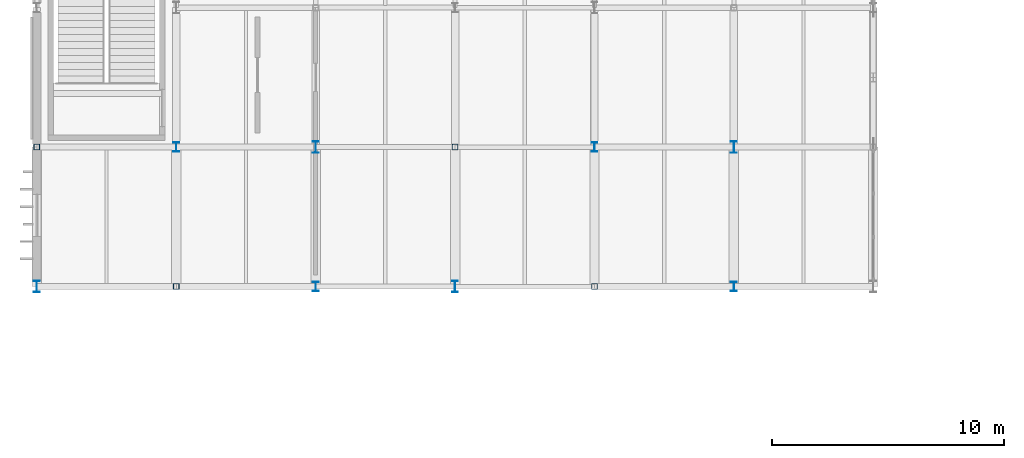
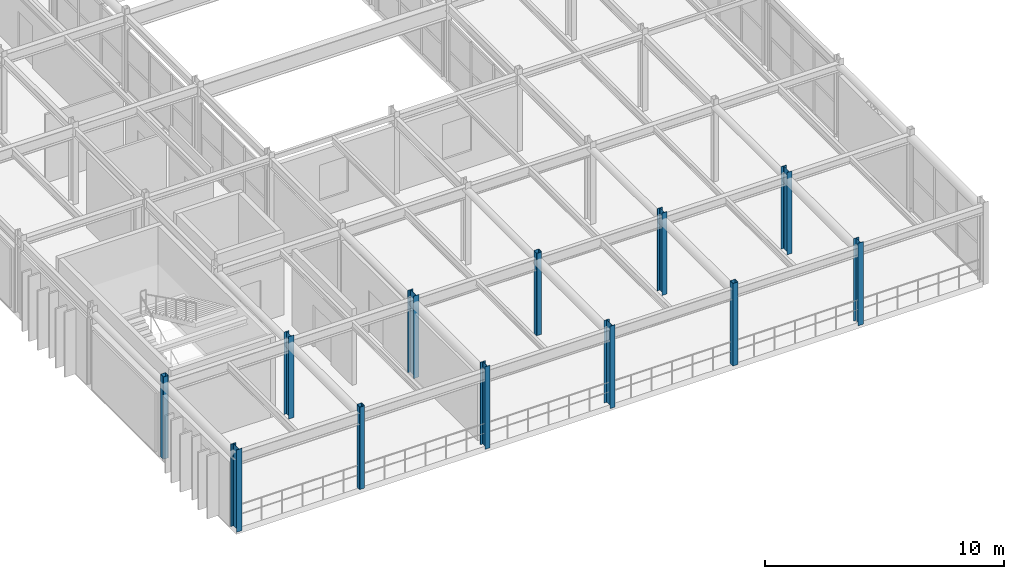
# One storey, part 1 of 83: 12 columns.
"""IFC4 building model written with IfcOpenShell, lengths in metres."""

from ifc_helpers import new_model, si_unit, direction, frame, origin, origin_2d, place, context, subcontext, project, spatial, hollow_rectangle, i_section, extrude, material, material_profile, profile_set, type_object, element, save


model = new_model("IFC4")

# Units and contexts
model_context = context("Model", 3, precision=1e-05, world=origin(), true_north=direction((0.0, 1.0)))
body_context = subcontext(model_context, "Body", "Model", "MODEL_VIEW")
ifc_project = project(units=[si_unit("LENGTHUNIT", "METRE"), si_unit("AREAUNIT", "SQUARE_METRE"), si_unit("VOLUMEUNIT", "CUBIC_METRE"), si_unit("PLANEANGLEUNIT", "RADIAN"), si_unit("MASSUNIT", "GRAM", prefix="KILO")], contexts=[model_context])

# Site, building, storey
site_placement = place(None, origin())
site = spatial("IfcSite", under=ifc_project, at=site_placement, CompositionType="ELEMENT")
building_placement = place(site_placement, origin())
building = spatial("IfcBuilding", under=site, at=building_placement, Name="Varnakota Square Police Headquarters", CompositionType="ELEMENT")
storey_placement = place(building_placement, frame((0.0, 0.0, 18.0)))
storey = spatial("IfcBuildingStorey", under=building, at=storey_placement, Name="L04", CompositionType="ELEMENT", Elevation=18.0)

# Columns
ifc_material = material(Name="Steel IS 2062 Grade 350", Category="steel")
ifc_material_profile_1 = material_profile(ifc_material, i_section(OverallWidth=0.25, OverallDepth=0.39990234375, WebThickness=0.010498046875, FlangeThickness=0.0126953125, FilletRadius=0.013916015625, at=origin_2d()), Name="ISHB 400")
ifc_profile_set_1 = profile_set([ifc_material_profile_1], Name="Steel IS 2062 Grade 350")
column_type_1 = type_object("IfcColumnType", Name="COL-ISHB400", PredefinedType="COLUMN", material=ifc_profile_set_1)
for number, where, z_axis, x_axis, name in (
    (1, (12.0, 27.0, 0.0), (0.0, 0.0, 1.0), (1.0, 0.0, 0.0), "Column X0120-Y0270 L04"),
    (2, (18.0, 21.0, 0.0), (0.0, 0.0, 1.0), (1.0, 0.0, 0.0), "Column X0180-Y0210 L04"),
    (3, (30.0, 27.0, 0.0), (0.0, 0.0, 1.0), (1.0, 0.0, 0.0), "Column X0300-Y0270 L04"),
    (4, (36.0, 21.0, 0.0), (0.0, 0.0, 1.0), (1.0, 0.0, 0.0), "Column X0360-Y0210 L04"),
):
    element("IfcColumn", number, at=place(storey_placement, frame(where, z_axis=z_axis, x_axis=x_axis)), inside=storey, type_object=column_type_1, Name=name, PredefinedType="COLUMN", context=body_context, shape_type="SweptSolid", body=[
        extrude(i_section(OverallWidth=0.25, OverallDepth=0.39990234375, WebThickness=0.010498046875, FlangeThickness=0.0126953125, FilletRadius=0.013916015625, at=origin_2d()), origin(), (0.0, 0.0, 1.0), 4.199951171875),
    ])
ifc_material_profile_2 = material_profile(ifc_material, i_section(OverallWidth=0.25, OverallDepth=0.5, WebThickness=0.010009765625, FlangeThickness=0.0146484375, FilletRadius=0.014892578125, at=origin_2d()), Name="ISWB 500")
ifc_profile_set_2 = profile_set([ifc_material_profile_2], Name="Steel IS 2062 Grade 350")
column_type_2 = type_object("IfcColumnType", Name="COL-ISWB500", PredefinedType="COLUMN", material=ifc_profile_set_2)
for number, where, z_axis, x_axis, name in (
    (5, (6.0, 21.0, 0.0), (0.0, 0.0, 1.0), (1.0, 0.0, 0.0), "Column X0060-Y0210 L04"),
    (6, (18.0, 27.0, 0.0), (0.0, 0.0, 1.0), (1.0, 0.0, 0.0), "Column X0180-Y0270 L04"),
    (7, (24.0, 21.0, 0.0), (0.0, 0.0, 1.0), (1.0, 0.0, 0.0), "Column X0240-Y0210 L04"),
    (8, (36.0, 27.0, 0.0), (0.0, 0.0, 1.0), (1.0, 0.0, 0.0), "Column X0360-Y0270 L04"),
):
    element("IfcColumn", number, at=place(storey_placement, frame(where, z_axis=z_axis, x_axis=x_axis)), inside=storey, type_object=column_type_2, Name=name, PredefinedType="COLUMN", context=body_context, shape_type="SweptSolid", body=[
        extrude(i_section(OverallWidth=0.25, OverallDepth=0.5, WebThickness=0.010009765625, FlangeThickness=0.0146484375, FilletRadius=0.014892578125, at=origin_2d()), origin(), (0.0, 0.0, 1.0), 4.199951171875),
    ])
ifc_material_profile_3 = material_profile(ifc_material, hollow_rectangle(XDim=0.25, YDim=0.25, WallThickness=0.011962890625, InnerFilletRadius=0.011962890625, OuterFilletRadius=0.02392578125, at=origin_2d()), Name="SHS 250x250x12")
ifc_profile_set_3 = profile_set([ifc_material_profile_3], Name="Steel IS 2062 Grade 350")
column_type_3 = type_object("IfcColumnType", Name="COL-SHS250", PredefinedType="COLUMN", material=ifc_profile_set_3)
for number, where, z_axis, x_axis, name in (
    (9, (6.0, 27.0, 0.0), (0.0, 0.0, 1.0), (1.0, 0.0, 0.0), "Column X0060-Y0270 L04"),
    (10, (12.0, 21.0, 0.0), (0.0, 0.0, 1.0), (1.0, 0.0, 0.0), "Column X0120-Y0210 L04"),
    (11, (24.0, 27.0, 0.0), (0.0, 0.0, 1.0), (1.0, 0.0, 0.0), "Column X0240-Y0270 L04"),
    (12, (30.0, 21.0, 0.0), (0.0, 0.0, 1.0), (1.0, 0.0, 0.0), "Column X0300-Y0210 L04"),
):
    element("IfcColumn", number, at=place(storey_placement, frame(where, z_axis=z_axis, x_axis=x_axis)), inside=storey, type_object=column_type_3, Name=name, PredefinedType="COLUMN", context=body_context, shape_type="SweptSolid", body=[
        extrude(hollow_rectangle(XDim=0.25, YDim=0.25, WallThickness=0.011962890625, InnerFilletRadius=0.011962890625, OuterFilletRadius=0.02392578125, at=origin_2d()), origin(), (0.0, 0.0, 1.0), 4.199951171875),
    ])

save(model, "model.ifc")
